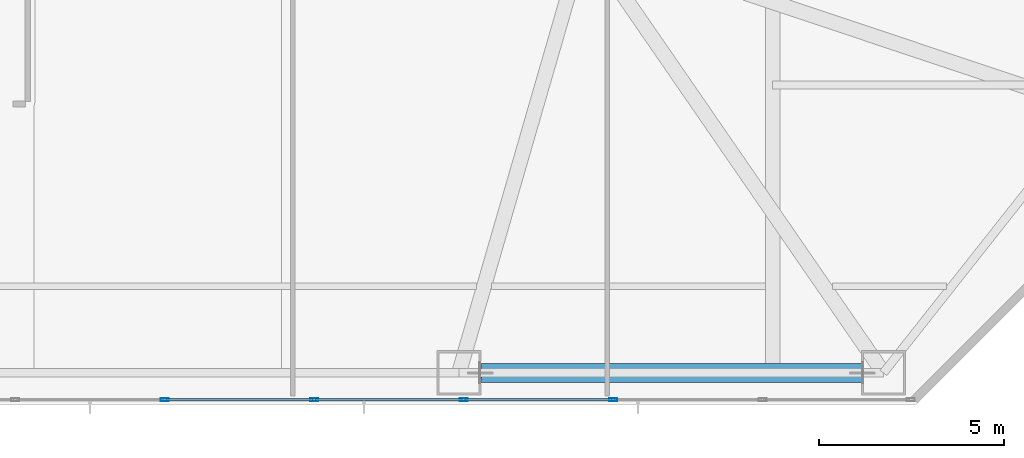
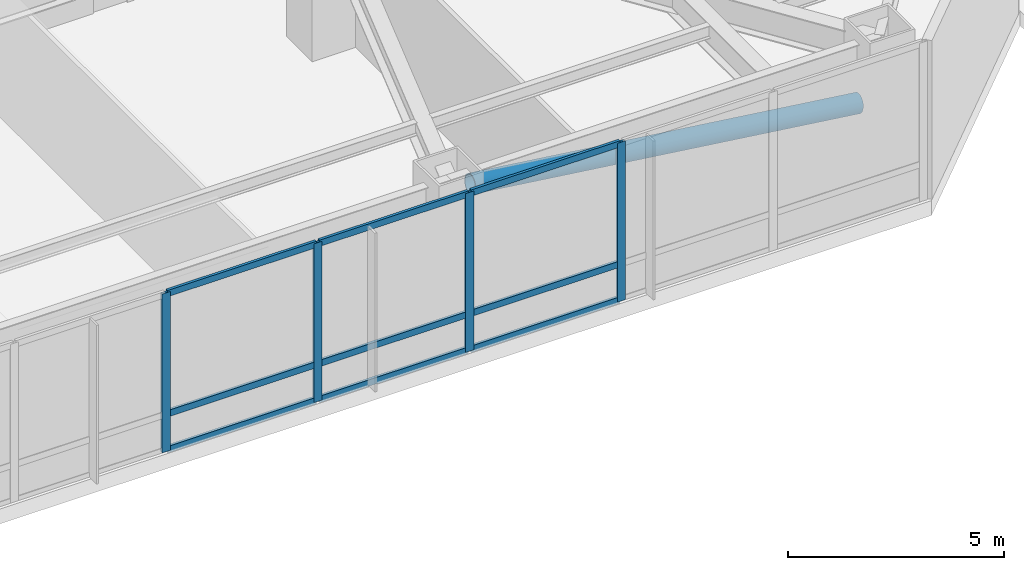
# One storey, part 6 of 33: 14 members, 1 element without a shape of its own.
"""IFC4 building model written with IfcOpenShell, lengths in metres."""

import ifcopenshell
import ifcopenshell.guid

model = None  # the IFC model being written
_history = None  # IfcOwnerHistory: only IFC2X3 demands one
_inside = {}  # id of a spatial element -> (the spatial element, [elements in it])
_under = {}  # id of a project, library or spatial element -> (it, [spatial elements below it])
_declared = {}  # id of a project -> (the project, [libraries it declares])
_typed = {}  # id of a type object -> (the type object, [elements of that type])
_made_of = {}  # id of a material, layer set ... -> (it, [elements and type objects made of it])


def new_model(schema):
    """Start an empty IFC model of exactly this schema.

    Asked for "IFC4X3", IfcOpenShell would pick the latest addendum, in which some entities
    have other attributes; the version numbers below select the first issue.
    IFC2X3 requires an IfcOwnerHistory on every rooted entity: one is made here for all.
    """
    global model, _history
    if schema == "IFC4X3":
        model = ifcopenshell.file(schema_version=(4, 3, 0, 0))
    else:
        model = ifcopenshell.file(schema=schema)
    _inside.clear()
    _under.clear()
    _declared.clear()
    _typed.clear()
    _made_of.clear()
    _history = None
    if model.schema == "IFC2X3":
        org = make("IfcOrganization", Name="unknown")
        user = make(
            "IfcPersonAndOrganization",
            ThePerson=make("IfcPerson", FamilyName="unknown"),
            TheOrganization=org,
        )
        app = make(
            "IfcApplication",
            ApplicationDeveloper=org,
            Version="unknown",
            ApplicationFullName="unknown",
            ApplicationIdentifier="unknown",
        )
        _history = make(
            "IfcOwnerHistory",
            OwningUser=user,
            OwningApplication=app,
            ChangeAction="ADDED",
            CreationDate=0,
        )
    return model


def make(cls, **values):
    """One entity of the class cls with the attributes given. An attribute that is None is left unset."""
    return model.create_entity(
        cls, **{name: value for name, value in values.items() if value is not None}
    )


def rooted(cls, **values):
    """An entity with a GlobalId (a new one), such as an element, a storey or a relation."""
    return make(cls, GlobalId=ifcopenshell.guid.new(), OwnerHistory=_history, **values)


def si_unit(unit_type, name, prefix=None):
    """IfcSIUnit, for example si_unit("LENGTHUNIT", "METRE", prefix="MILLI")."""
    return make("IfcSIUnit", UnitType=unit_type, Prefix=prefix, Name=name)


def assignment(units):
    """IfcUnitAssignment: the units of a project."""
    return None if units is None else make("IfcUnitAssignment", Units=units)


def point(xyz):
    """IfcCartesianPoint."""
    return None if xyz is None else make("IfcCartesianPoint", Coordinates=xyz)


def direction(xyz):
    """IfcDirection."""
    return None if xyz is None else make("IfcDirection", DirectionRatios=xyz)


def frame(location, z_axis=None, x_axis=None):
    """IfcAxis2Placement3D, a coordinate frame: its origin and axes. An axis left out is left unset."""
    return make(
        "IfcAxis2Placement3D",
        Location=point(location),
        Axis=direction(z_axis),
        RefDirection=direction(x_axis),
    )


def frame_2d(location, x_axis=None):
    """IfcAxis2Placement2D, a coordinate frame in the plane: its origin and x axis."""
    return make(
        "IfcAxis2Placement2D", Location=point(location), RefDirection=direction(x_axis)
    )


def origin():
    """The frame at (0, 0, 0) with its axes left unset."""
    return frame((0.0, 0.0, 0.0))


def origin_2d():
    """The frame at (0, 0) in the plane with its x axis left unset."""
    return frame_2d((0.0, 0.0))


def place(relative_to, where):
    """IfcLocalPlacement: puts the frame where relative to a parent placement (None: the world)."""
    return make(
        "IfcLocalPlacement", PlacementRelTo=relative_to, RelativePlacement=where
    )


def context(
    kind, dimensions, precision=None, world=None, true_north=None, identifier=None
):
    """IfcGeometricRepresentationContext, for example the 3D "Model" context."""
    return make(
        "IfcGeometricRepresentationContext",
        ContextIdentifier=identifier,
        ContextType=kind,
        CoordinateSpaceDimension=dimensions,
        Precision=precision,
        WorldCoordinateSystem=world,
        TrueNorth=true_north,
    )


def subcontext(parent, identifier, kind, view, scale=None):
    """IfcGeometricRepresentationSubContext, for example "Body" below "Model"."""
    return make(
        "IfcGeometricRepresentationSubContext",
        ContextIdentifier=identifier,
        ContextType=kind,
        ParentContext=parent,
        TargetScale=scale,
        TargetView=view,
    )


def project(units=None, contexts=None):
    """IfcProject with its units and contexts."""
    return rooted(
        "IfcProject",
        Name="project",
        RepresentationContexts=contexts,
        UnitsInContext=assignment(units),
    )


def spatial(cls, under=None, at=None, **own):
    """A site, building, storey or space (cls), placed at a placement, below another one or the project."""
    s = rooted(cls, ObjectPlacement=at, **own)
    if under is not None:
        _under.setdefault(under.id(), (under, []))[1].append(s)
    return s


def profile(cls, at=None, kind="AREA", **sizes):
    """A parametric profile (cls). Its sizes go by their IFC names, for example OverallWidth=200.0."""
    return make(cls, ProfileType=kind, Position=at, **sizes)


def hollow_rectangle(**sizes):
    """IfcRectangleHollowProfileDef."""
    return profile("IfcRectangleHollowProfileDef", **sizes)


def hollow_circle(**sizes):
    """IfcCircleHollowProfileDef."""
    return profile("IfcCircleHollowProfileDef", **sizes)


def extrude(swept, where, along, depth):
    """IfcExtrudedAreaSolid: the profile swept, set in the frame where, extruded along a direction by depth."""
    return make(
        "IfcExtrudedAreaSolid",
        SweptArea=swept,
        Position=where,
        ExtrudedDirection=direction(along),
        Depth=depth,
    )


def shape(context_of_items, identifier, shape_type, items):
    """IfcShapeRepresentation: the items that make up one representation, for example the "Body"."""
    return make(
        "IfcShapeRepresentation",
        ContextOfItems=context_of_items,
        RepresentationIdentifier=identifier,
        RepresentationType=shape_type,
        Items=items,
    )


def material(Name=None, Category=None):
    """IfcMaterial."""
    return make("IfcMaterial", Name=Name, Category=Category)


def material_profile(
    of_material, cross_section, Name=None, Category=None, Priority=None
):
    """IfcMaterialProfile: a cross section and its material."""
    return make(
        "IfcMaterialProfile",
        Name=Name,
        Material=of_material,
        Profile=cross_section,
        Priority=Priority,
        Category=Category,
    )


def profile_set(profiles, Name=None, composite=None):
    """IfcMaterialProfileSet."""
    return make(
        "IfcMaterialProfileSet",
        Name=Name,
        MaterialProfiles=profiles,
        CompositeProfile=composite,
    )


def made_of(thing, what):
    """Note that an element or type object is made of a material, layer set ...; save() writes the relation."""
    if what is not None:
        _made_of.setdefault(what.id(), (what, []))[1].append(thing)
    return thing


def type_object(cls, material=None, **own):
    """A type object (cls), such as IfcWallType, which elements share."""
    return made_of(rooted(cls, **own), material)


def element(
    cls,
    number,
    at=None,
    inside=None,
    cuts=None,
    type_object=None,
    material=None,
    context=None,
    identifier="Body",
    shape_type=None,
    held_by="IfcProductDefinitionShape",
    body=None,
    shapes=None,
    **own,
):
    """One element of the class cls, such as IfcWall. Its Tag is "e" and its number.

    at: its placement. inside: the storey or other place that contains it. cuts: it is an
    opening in that element (IfcRelVoidsElement). A single representation is given by context,
    identifier, shape_type and body (its items); several are given by shapes. held_by: the class
    of the entity that holds the representations. save() writes the other relations.
    """
    e = rooted(cls, Tag="e%d" % number, ObjectPlacement=at, **own)
    if body is not None:
        shapes = [shape(context, identifier, shape_type, body)]
    if shapes is not None:
        e.Representation = make(held_by, Representations=shapes)
    if inside is not None:
        _inside.setdefault(inside.id(), (inside, []))[1].append(e)
    if cuts is not None:
        rooted(
            "IfcRelVoidsElement", RelatingBuildingElement=cuts, RelatedOpeningElement=e
        )
    if type_object is not None:
        _typed.setdefault(type_object.id(), (type_object, []))[1].append(e)
    return made_of(e, material)


def aggregate(whole, parts):
    """IfcRelAggregates: a whole, such as a stair, and the parts it consists of."""
    return rooted("IfcRelAggregates", RelatingObject=whole, RelatedObjects=parts)


def save(model, path):
    """Write the relations noted so far, then the file.

    IfcRelAggregates (storeys below a building ...), IfcRelContainedInSpatialStructure (elements
    in a storey), IfcRelDefinesByType, IfcRelAssociatesMaterial and IfcRelDeclares: one each for
    every whole, place, type object, material and project.
    """
    for whole, parts in _under.values():
        aggregate(whole, parts)
    for where, things in _inside.values():
        rooted(
            "IfcRelContainedInSpatialStructure",
            RelatedElements=things,
            RelatingStructure=where,
        )
    for kind, things in _typed.values():
        rooted("IfcRelDefinesByType", RelatedObjects=things, RelatingType=kind)
    for what, things in _made_of.values():
        rooted("IfcRelAssociatesMaterial", RelatedObjects=things, RelatingMaterial=what)
    for by, libraries in _declared.values():
        rooted("IfcRelDeclares", RelatingContext=by, RelatedDefinitions=libraries)
    model.write(path)


model = new_model("IFC4")

# Units and contexts
model_context = context("Model", 3, precision=1e-05, world=origin(), true_north=direction((0.0, 1.0)))
body_context = subcontext(model_context, "Body", "Model", "MODEL_VIEW")
ifc_project = project(units=[si_unit("LENGTHUNIT", "METRE"), si_unit("AREAUNIT", "SQUARE_METRE"), si_unit("VOLUMEUNIT", "CUBIC_METRE"), si_unit("PLANEANGLEUNIT", "RADIAN"), si_unit("MASSUNIT", "GRAM", prefix="KILO")], contexts=[model_context])

# Site, building, storey
site_placement = place(None, origin())
site = spatial("IfcSite", under=ifc_project, at=site_placement, CompositionType="ELEMENT")
building_placement = place(site_placement, origin())
building = spatial("IfcBuilding", under=site, at=building_placement, Name="Khamvora Tower", CompositionType="ELEMENT")
storey_placement = place(building_placement, frame((0.0, 0.0, 7.199951171875)))
storey = spatial("IfcBuildingStorey", under=building, at=storey_placement, Name="L01", CompositionType="ELEMENT", Elevation=7.199951171875)

# Curtain wall, members
ifc_material_1 = material(Name="Anodised Aluminium 6063-T6", Category="aluminium")
curtain_wall_type = type_object("IfcCurtainWallType", Name="CW-SYS-01", PredefinedType="NOTDEFINED", material=ifc_material_1)
curtain_wall_placement = place(storey_placement, origin())
curtain_wall = element("IfcCurtainWall", 1, at=curtain_wall_placement, inside=storey, type_object=curtain_wall_type, Name="L01 stick curtain wall 14.1", PredefinedType="NOTDEFINED")
ifc_material_profile_1 = material_profile(ifc_material_1, hollow_rectangle(XDim=0.074951171875, YDim=0.219970703125, WallThickness=0.0048828125, at=origin_2d()), Name="MUL75x220x5")
ifc_profile_set_1 = profile_set([ifc_material_profile_1], Name="Anodised Aluminium 6063-T6")
member_type_1 = type_object("IfcMemberType", Name="CW-SYS-01-MUL", PredefinedType="MULLION", material=ifc_profile_set_1)
member_1_placement = place(storey_placement, frame((42.175048828125, 0.1201171875, 0.0), z_axis=(0.0, 0.0, 1.0), x_axis=(0.0, -1.0, 0.0)))
member_1 = element("IfcMember", 2, at=member_1_placement, type_object=member_type_1, Name="CW-01 mullion 3", PredefinedType="MULLION", context=body_context, shape_type="SweptSolid", body=[
    extrude(hollow_rectangle(XDim=0.074951171875, YDim=0.219970703125, WallThickness=0.0048828125, at=origin_2d()), origin(), (0.0, 0.0, 1.0), 4.47998046875),
])
member_2_placement = place(storey_placement, frame((38.125, 0.1201171875, 0.0), z_axis=(0.0, 0.0, 1.0), x_axis=(0.0, -1.0, 0.0)))
member_2 = element("IfcMember", 3, at=member_2_placement, type_object=member_type_1, Name="CW-01 mullion 4", PredefinedType="MULLION", context=body_context, shape_type="SweptSolid", body=[
    extrude(hollow_rectangle(XDim=0.074951171875, YDim=0.219970703125, WallThickness=0.0048828125, at=origin_2d()), origin(), (0.0, 0.0, 1.0), 4.47998046875),
])
member_3_placement = place(storey_placement, frame((34.074951171875, 0.1201171875, 0.0), z_axis=(0.0, 0.0, 1.0), x_axis=(0.0, -1.0, 0.0)))
member_3 = element("IfcMember", 4, at=member_3_placement, type_object=member_type_1, Name="CW-01 mullion 5", PredefinedType="MULLION", context=body_context, shape_type="SweptSolid", body=[
    extrude(hollow_rectangle(XDim=0.074951171875, YDim=0.219970703125, WallThickness=0.0048828125, at=origin_2d()), origin(), (0.0, 0.0, 1.0), 4.47998046875),
])
member_4_placement = place(storey_placement, frame((30.02490234375, 0.1201171875, 0.0), z_axis=(0.0, 0.0, 1.0), x_axis=(0.0, -1.0, 0.0)))
member_4 = element("IfcMember", 5, at=member_4_placement, type_object=member_type_1, Name="CW-01 mullion 6", PredefinedType="MULLION", context=body_context, shape_type="SweptSolid", body=[
    extrude(hollow_rectangle(XDim=0.074951171875, YDim=0.219970703125, WallThickness=0.0048828125, at=origin_2d()), origin(), (0.0, 0.0, 1.0), 4.47998046875),
])
ifc_material_profile_2 = material_profile(ifc_material_1, hollow_rectangle(XDim=0.074951171875, YDim=0.179931640625, WallThickness=0.0048828125, at=origin_2d()), Name="TRN75x180x5")
ifc_profile_set_2 = profile_set([ifc_material_profile_2], Name="Anodised Aluminium 6063-T6")
member_type_2 = type_object("IfcMemberType", Name="CW-SYS-01-TRN", PredefinedType="USERDEFINED", material=ifc_profile_set_2)
member_5_placement = place(storey_placement, frame((42.137451171875, 0.1201171875, 0.03759765625), z_axis=(-1.0, 0.0, 0.0), x_axis=(0.0, -1.0, 0.0)))
member_5 = element("IfcMember", 6, at=member_5_placement, type_object=member_type_2, Name="CW-01 transom 3.1", ObjectType="TRANSOM", PredefinedType="USERDEFINED", context=body_context, shape_type="SweptSolid", body=[
    extrude(hollow_rectangle(XDim=0.074951171875, YDim=0.179931640625, WallThickness=0.0048828125, at=origin_2d()), origin(), (0.0, 0.0, 1.0), 3.974853515625),
])
member_6_placement = place(storey_placement, frame((42.137451171875, 0.1201171875, 1.050048828125), z_axis=(-1.0, 0.0, 0.0), x_axis=(0.0, -1.0, 0.0)))
member_6 = element("IfcMember", 7, at=member_6_placement, type_object=member_type_2, Name="CW-01 transom 3.2", ObjectType="TRANSOM", PredefinedType="USERDEFINED", context=body_context, shape_type="SweptSolid", body=[
    extrude(hollow_rectangle(XDim=0.074951171875, YDim=0.179931640625, WallThickness=0.0048828125, at=origin_2d()), origin(), (0.0, 0.0, 1.0), 3.974853515625),
])
member_7_placement = place(storey_placement, frame((42.137451171875, 0.1201171875, 4.442626953125), z_axis=(-1.0, 0.0, 0.0), x_axis=(0.0, -1.0, 0.0)))
member_7 = element("IfcMember", 8, at=member_7_placement, type_object=member_type_2, Name="CW-01 transom 3.3", ObjectType="TRANSOM", PredefinedType="USERDEFINED", context=body_context, shape_type="SweptSolid", body=[
    extrude(hollow_rectangle(XDim=0.074951171875, YDim=0.179931640625, WallThickness=0.0048828125, at=origin_2d()), origin(), (0.0, 0.0, 1.0), 3.974853515625),
])
member_8_placement = place(storey_placement, frame((38.08740234375, 0.1201171875, 0.03759765625), z_axis=(-1.0, 0.0, 0.0), x_axis=(0.0, -1.0, 0.0)))
member_8 = element("IfcMember", 9, at=member_8_placement, type_object=member_type_2, Name="CW-01 transom 4.1", ObjectType="TRANSOM", PredefinedType="USERDEFINED", context=body_context, shape_type="SweptSolid", body=[
    extrude(hollow_rectangle(XDim=0.074951171875, YDim=0.179931640625, WallThickness=0.0048828125, at=origin_2d()), origin(), (0.0, 0.0, 1.0), 3.974853515625),
])
member_9_placement = place(storey_placement, frame((38.08740234375, 0.1201171875, 1.050048828125), z_axis=(-1.0, 0.0, 0.0), x_axis=(0.0, -1.0, 0.0)))
member_9 = element("IfcMember", 10, at=member_9_placement, type_object=member_type_2, Name="CW-01 transom 4.2", ObjectType="TRANSOM", PredefinedType="USERDEFINED", context=body_context, shape_type="SweptSolid", body=[
    extrude(hollow_rectangle(XDim=0.074951171875, YDim=0.179931640625, WallThickness=0.0048828125, at=origin_2d()), origin(), (0.0, 0.0, 1.0), 3.974853515625),
])
member_10_placement = place(storey_placement, frame((38.08740234375, 0.1201171875, 4.442626953125), z_axis=(-1.0, 0.0, 0.0), x_axis=(0.0, -1.0, 0.0)))
member_10 = element("IfcMember", 11, at=member_10_placement, type_object=member_type_2, Name="CW-01 transom 4.3", ObjectType="TRANSOM", PredefinedType="USERDEFINED", context=body_context, shape_type="SweptSolid", body=[
    extrude(hollow_rectangle(XDim=0.074951171875, YDim=0.179931640625, WallThickness=0.0048828125, at=origin_2d()), origin(), (0.0, 0.0, 1.0), 3.974853515625),
])
member_11_placement = place(storey_placement, frame((34.03759765625, 0.1201171875, 0.03759765625), z_axis=(-1.0, 0.0, 0.0), x_axis=(0.0, -1.0, 0.0)))
member_11 = element("IfcMember", 12, at=member_11_placement, type_object=member_type_2, Name="CW-01 transom 5.1", ObjectType="TRANSOM", PredefinedType="USERDEFINED", context=body_context, shape_type="SweptSolid", body=[
    extrude(hollow_rectangle(XDim=0.074951171875, YDim=0.179931640625, WallThickness=0.0048828125, at=origin_2d()), origin(), (0.0, 0.0, 1.0), 3.97509765625),
])
member_12_placement = place(storey_placement, frame((34.03759765625, 0.1201171875, 1.050048828125), z_axis=(-1.0, 0.0, 0.0), x_axis=(0.0, -1.0, 0.0)))
member_12 = element("IfcMember", 13, at=member_12_placement, type_object=member_type_2, Name="CW-01 transom 5.2", ObjectType="TRANSOM", PredefinedType="USERDEFINED", context=body_context, shape_type="SweptSolid", body=[
    extrude(hollow_rectangle(XDim=0.074951171875, YDim=0.179931640625, WallThickness=0.0048828125, at=origin_2d()), origin(), (0.0, 0.0, 1.0), 3.97509765625),
])
member_13_placement = place(storey_placement, frame((34.03759765625, 0.1201171875, 4.442626953125), z_axis=(-1.0, 0.0, 0.0), x_axis=(0.0, -1.0, 0.0)))
member_13 = element("IfcMember", 14, at=member_13_placement, type_object=member_type_2, Name="CW-01 transom 5.3", ObjectType="TRANSOM", PredefinedType="USERDEFINED", context=body_context, shape_type="SweptSolid", body=[
    extrude(hollow_rectangle(XDim=0.074951171875, YDim=0.179931640625, WallThickness=0.0048828125, at=origin_2d()), origin(), (0.0, 0.0, 1.0), 3.97509765625),
])
aggregate(curtain_wall, [member_1, member_2, member_3, member_4, member_5, member_6, member_7, member_8, member_9, member_10, member_11, member_12, member_13])

# Member
ifc_material_2 = material(Name="Steel S460", Category="steel")
ifc_material_profile_3 = material_profile(ifc_material_2, hollow_circle(Radius=0.25390625, WallThickness=0.02490234375, at=origin_2d()), Name="CHS508x25")
ifc_profile_set_3 = profile_set([ifc_material_profile_3], Name="Steel S460")
member_type_3 = type_object("IfcMemberType", Name="MEM-BR-CHS508", PredefinedType="BRACE", material=ifc_profile_set_3)
member_14_placement = place(storey_placement, frame((48.925048828125, 0.85009765625, 2.755126953125), z_axis=(-0.991712996573, 0.0, 0.128473080558), x_axis=(0.0, -1.0, 0.0)))
element("IfcMember", 15, at=member_14_placement, inside=storey, type_object=member_type_3, Name="L01 perimeter wind brace 2", PredefinedType="BRACE", context=body_context, shape_type="SweptSolid", body=[
    extrude(hollow_circle(Radius=0.25390625, WallThickness=0.02490234375, at=origin_2d()), origin(), (0.0, 0.0, 1.0), 10.4365234375),
])

save(model, "model.ifc")
